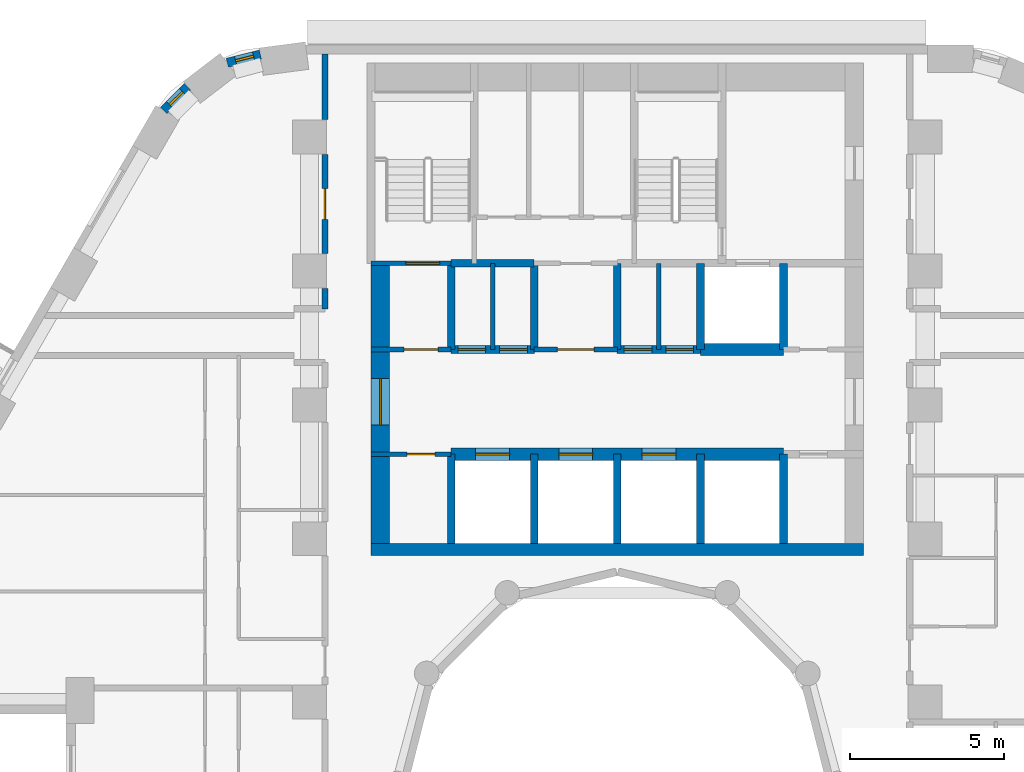
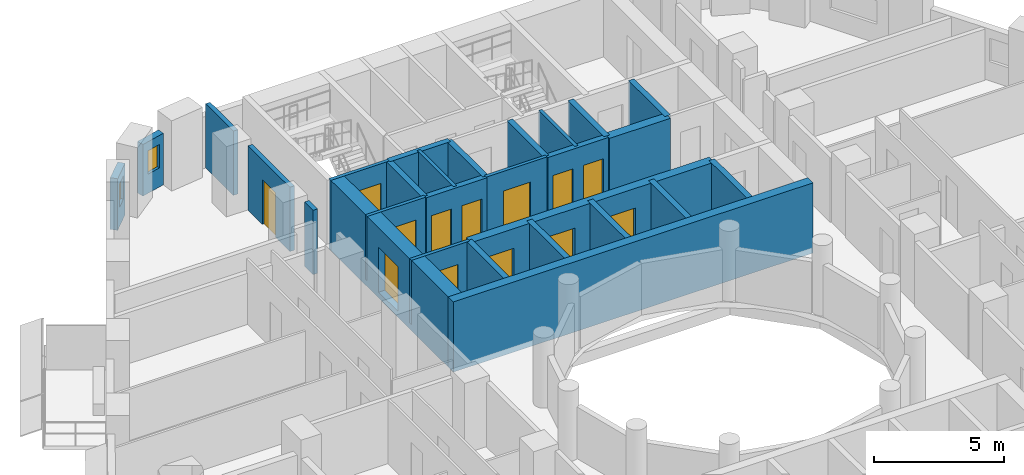
# One storey, part 7 of 13: 28 walls, 13 doors, 2 windows, 15 openings.
"""IFC4 building model written with IfcOpenShell, lengths in metres."""

from ifc_helpers import new_model, si_unit, direction, frame, frame_2d, origin, place, context, subcontext, project, spatial, rectangle, extrude, material, layer, layer_set, type_object, element, fill, save


model = new_model("IFC4")

# Units and contexts
model_context = context("Model", 3, precision=1e-05, world=origin(), true_north=direction((0.0, 1.0)))
body_context = subcontext(model_context, "Body", "Model", "MODEL_VIEW")
ifc_project = project(units=[si_unit("LENGTHUNIT", "METRE"), si_unit("AREAUNIT", "SQUARE_METRE"), si_unit("VOLUMEUNIT", "CUBIC_METRE"), si_unit("PLANEANGLEUNIT", "RADIAN"), si_unit("MASSUNIT", "GRAM", prefix="KILO")], contexts=[model_context])

# Site, building, storey
site_placement = place(None, origin())
site = spatial("IfcSite", under=ifc_project, at=site_placement, CompositionType="ELEMENT")
building_placement = place(site_placement, origin())
building = spatial("IfcBuilding", under=site, at=building_placement, Name="Nakaniwa Court", CompositionType="ELEMENT")
storey_placement = place(building_placement, frame((0.0, 0.0, 41.39990234375)))
storey = spatial("IfcBuildingStorey", under=building, at=storey_placement, Name="L10", CompositionType="ELEMENT", Elevation=41.39990234375)

# Wall
ifc_material_1 = material(Name="Acoustic double stud partition")
ifc_layer_1 = layer(ifc_material_1, 0.199951171875)
ifc_layer_set_1 = layer_set([ifc_layer_1], Name="Acoustic double stud partition")
wall_type_1 = type_object("IfcWallType", Name="Acoustic double stud partition 200", PredefinedType="PARTITIONING", material=ifc_layer_set_1)
wall_1_placement = place(storey_placement, frame((70.5, 95.422119140625, 0.0), z_axis=(0.0, 0.0, 1.0), x_axis=(0.0, 1.0, 0.0)))
element("IfcWall", 1, at=wall_1_placement, inside=storey, type_object=wall_type_1, Name="Partition PW-110", PredefinedType="PARTITIONING", context=body_context, shape_type="SweptSolid", body=[
    extrude(rectangle(XDim=0.660888671875, YDim=0.199951171875, at=frame_2d((0.33056640625, 0.0))), origin(), (0.0, 0.0, 1.0), 3.025146484375),
])

# Wall, opening, door
wall_2_placement = place(storey_placement, frame((70.5, 97.217041015625, 0.0), z_axis=(0.0, 0.0, 1.0), x_axis=(0.0, 1.0, 0.0)))
wall_2 = element("IfcWall", 2, at=wall_2_placement, inside=storey, type_object=wall_type_1, Name="Partition PW-111", PredefinedType="PARTITIONING", context=body_context, shape_type="SweptSolid", body=[
    extrude(rectangle(XDim=3.216064453125, YDim=0.199951171875, at=frame_2d((1.60791015625, 0.0))), origin(), (0.0, 0.0, 1.0), 3.025146484375),
])
opening_1_placement = place(wall_2_placement, frame((1.10791015625, 0.0, 0.0)))
opening_1 = element("IfcOpeningElement", 3, at=opening_1_placement, cuts=wall_2, Name="Opening D-02-04", PredefinedType="OPENING", context=body_context, shape_type="SweptSolid", body=[
    extrude(rectangle(XDim=1.0, YDim=2.10009765625, at=frame_2d((0.5, 1.050048828125))), frame((0.0, 0.10986328125, 0.0), z_axis=(0.0, -1.0, 0.0), x_axis=(1.0, 0.0, 0.0)), (0.0, 0.0, 1.0), 0.219970703125),
])
ifc_material_2 = material(Name="Solid core timber door set, black veneer", Category="wood")
door_type_1 = type_object("IfcDoorType", Name="Internal door 1000", OperationType="NOTDEFINED", PredefinedType="DOOR", material=ifc_material_2)
door_1_placement = place(opening_1_placement, origin())
door_1 = element("IfcDoor", 4, at=door_1_placement, inside=storey, type_object=door_type_1, Name="Door D-02-04 L10-056", OperationType="SINGLE_SWING_LEFT", OverallHeight=2.10009765625, OverallWidth=1.0, PredefinedType="DOOR", context=body_context, shape_type="SweptSolid", body=[
    extrude(rectangle(XDim=1.0, YDim=2.10009765625, at=frame_2d((0.5, 1.050048828125))), frame((0.0, 0.02490234375, 0.0), z_axis=(0.0, -1.0, 0.0), x_axis=(1.0, 0.0, 0.0)), (0.0, 0.0, 1.0), 0.050048828125),
])
fill(opening_1, door_1)

# Wall
wall_3_placement = place(storey_placement, frame((70.5, 101.56689453125, 0.0), z_axis=(0.0, 0.0, 1.0), x_axis=(0.0, 1.0, 0.0)))
element("IfcWall", 5, at=wall_3_placement, inside=storey, type_object=wall_type_1, Name="Partition PW-112", PredefinedType="PARTITIONING", context=body_context, shape_type="SweptSolid", body=[
    extrude(rectangle(XDim=2.133056640625, YDim=0.199951171875, at=frame_2d((1.06640625, 0.0))), origin(), (0.0, 0.0, 1.0), 3.025146484375),
])

# Wall, opening, window
ifc_material_3 = material(Name="Charcoal ceramic cladding")
ifc_layer_2 = layer(ifc_material_3, 0.02, Name="Ceramic cladding")
ifc_material_4 = material(Name="Ventilated air cavity")
ifc_layer_3 = layer(ifc_material_4, 0.04, ventilated=True, Name="Ventilated cavity")
ifc_material_5 = material(Name="Mineral wool insulation")
ifc_layer_4 = layer(ifc_material_5, 0.1, Name="Insulation")
ifc_material_6 = material(Name="Cement bonded sheathing board")
ifc_layer_5 = layer(ifc_material_6, 0.012, Name="Sheathing")
ifc_material_7 = material(Name="Cold-formed galvanised stud frame with mineral wool infill")
ifc_layer_6 = layer(ifc_material_7, 0.1, Name="Stud frame")
ifc_material_8 = material(Name="Fire-rated gypsum plasterboard lining")
ifc_layer_7 = layer(ifc_material_8, 0.028, Name="Lining")
ifc_layer_set_2 = layer_set([ifc_layer_2, ifc_layer_3, ifc_layer_4, ifc_layer_5, ifc_layer_6, ifc_layer_7], Name="Charcoal ceramic faced external wall system")
wall_type_2 = type_object("IfcWallType", Name="Black ceramic faced external wall 300", PredefinedType="SOLIDWALL", material=ifc_layer_set_2)
wall_4_placement = place(storey_placement, frame((68.4052734375, 103.68310546875, 0.0), z_axis=(0.0, 0.0, 1.0), x_axis=(-0.969766298956, -0.244035500304, 0.0)))
wall_4 = element("IfcWall", 6, at=wall_4_placement, inside=storey, type_object=wall_type_2, Name="L10 external wall 09", PredefinedType="SOLIDWALL", context=body_context, shape_type="SweptSolid", body=[
    extrude(rectangle(XDim=1.110595703125, YDim=0.300048828125, at=frame_2d((0.55517578125, 0.0))), origin(), (0.0, 0.0, 1.0), 2.425048828125),
])
opening_2_placement = place(wall_4_placement, frame((0.230712890625, 0.0, 0.89990234375)))
opening_2 = element("IfcOpeningElement", 7, at=opening_2_placement, cuts=wall_4, Name="Opening W8.10", PredefinedType="OPENING", context=body_context, shape_type="SweptSolid", body=[
    extrude(rectangle(XDim=0.60009765625, YDim=1.10009765625, at=frame_2d((0.300048828125, 0.550048828125))), frame((0.0, 0.159912109375, 0.0), z_axis=(0.0, -1.0, 0.0), x_axis=(1.0, 0.0, 0.0)), (0.0, 0.0, 1.0), 0.320068359375),
])
ifc_material_9 = material(Name="Black anodised aluminium frame with dark low-E laminated double glazing", Category="aluminium")
window_type = type_object("IfcWindowType", Name="Dark glass window 600x1100 sill 900", PartitioningType="SINGLE_PANEL", PredefinedType="WINDOW", material=ifc_material_9)
window_1_placement = place(opening_2_placement, origin())
window_1 = element("IfcWindow", 8, at=window_1_placement, inside=storey, type_object=window_type, Name="L10 habitable room window 09-0", OverallHeight=1.10009765625, OverallWidth=0.60009765625, PartitioningType="SINGLE_PANEL", PredefinedType="WINDOW", context=body_context, shape_type="SweptSolid", body=[
    extrude(rectangle(XDim=0.60009765625, YDim=1.10009765625, at=frame_2d((0.300048828125, 0.550048828125))), frame((0.0, 0.030029296875, 0.0), z_axis=(0.0, -1.0, 0.0), x_axis=(1.0, 0.0, 0.0)), (0.0, 0.0, 1.0), 0.06005859375),
])
fill(opening_2, window_1)

wall_5_placement = place(storey_placement, frame((66.04150390625, 102.637451171875, 0.0), z_axis=(0.0, 0.0, 1.0), x_axis=(-0.708892395813, -0.705316646024, 0.0)))
wall_5 = element("IfcWall", 9, at=wall_5_placement, inside=storey, type_object=wall_type_2, Name="L10 external wall 10", PredefinedType="SOLIDWALL", context=body_context, shape_type="SweptSolid", body=[
    extrude(rectangle(XDim=1.092529296875, YDim=0.300048828125, at=frame_2d((0.54638671875, 0.0))), origin(), (0.0, 0.0, 1.0), 2.425048828125),
])
opening_3_placement = place(wall_5_placement, frame((0.23583984375, 0.0, 0.89990234375)))
opening_3 = element("IfcOpeningElement", 10, at=opening_3_placement, cuts=wall_5, Name="Opening W8.11", PredefinedType="OPENING", context=body_context, shape_type="SweptSolid", body=[
    extrude(rectangle(XDim=0.60009765625, YDim=1.10009765625, at=frame_2d((0.300048828125, 0.550048828125))), frame((0.0, 0.159912109375, 0.0), z_axis=(0.0, -1.0, 0.0), x_axis=(1.0, 0.0, 0.0)), (0.0, 0.0, 1.0), 0.320068359375),
])
window_2_placement = place(opening_3_placement, origin())
window_2 = element("IfcWindow", 11, at=window_2_placement, inside=storey, type_object=window_type, Name="L10 habitable room window 10-0", OverallHeight=1.10009765625, OverallWidth=0.60009765625, PartitioningType="SINGLE_PANEL", PredefinedType="WINDOW", context=body_context, shape_type="SweptSolid", body=[
    extrude(rectangle(XDim=0.60009765625, YDim=1.10009765625, at=frame_2d((0.300048828125, 0.550048828125))), frame((0.0, 0.030029296875, 0.0), z_axis=(0.0, -1.0, 0.0), x_axis=(1.0, 0.0, 0.0)), (0.0, 0.0, 1.0), 0.06005859375),
])
fill(opening_3, window_2)

# Wall, opening, door
ifc_material_10 = material(Name="Blockwork partition", Category="masonry")
ifc_layer_8 = layer(ifc_material_10, 0.14990234375)
ifc_layer_set_3 = layer_set([ifc_layer_8], Name="Blockwork partition")
wall_type_3 = type_object("IfcWallType", Name="Blockwork partition 150", PredefinedType="PARTITIONING", material=ifc_layer_set_3)
wall_6_placement = place(storey_placement, frame((74.60009765625, 90.699951171875, 0.0), z_axis=(0.0, 0.0, 1.0), x_axis=(-1.0, 0.0, 0.0)))
wall_6 = element("IfcWall", 12, at=wall_6_placement, inside=storey, type_object=wall_type_3, Name="Partition PW-003", PredefinedType="PARTITIONING", context=body_context, shape_type="SweptSolid", body=[
    extrude(rectangle(XDim=2.60009765625, YDim=0.14990234375, at=frame_2d((1.300048828125, 0.0))), origin(), (0.0, 0.0, 1.0), 3.025146484375),
])
opening_4_placement = place(wall_6_placement, frame((0.52490234375, 0.0, 0.0)))
opening_4 = element("IfcOpeningElement", 13, at=opening_4_placement, cuts=wall_6, Name="Opening D-05-01", PredefinedType="OPENING", context=body_context, shape_type="SweptSolid", body=[
    extrude(rectangle(XDim=0.89990234375, YDim=2.10009765625, at=frame_2d((0.449951171875, 1.050048828125))), frame((0.0, 0.0849609375, 0.0), z_axis=(0.0, -1.0, 0.0), x_axis=(1.0, 0.0, 0.0)), (0.0, 0.0, 1.0), 0.169921875),
])
ifc_material_11 = material(Name="Fire rated steel door set", Category="steel")
door_type_2 = type_object("IfcDoorType", Name="Service room door 900", OperationType="NOTDEFINED", PredefinedType="DOOR", material=ifc_material_11)
door_2_placement = place(opening_4_placement, origin())
door_2 = element("IfcDoor", 14, at=door_2_placement, inside=storey, type_object=door_type_2, Name="Door D-05-01 L10-001", OperationType="SINGLE_SWING_RIGHT", OverallHeight=2.10009765625, OverallWidth=0.89990234375, PredefinedType="DOOR", context=body_context, shape_type="SweptSolid", body=[
    extrude(rectangle(XDim=0.89990234375, YDim=2.10009765625, at=frame_2d((0.449951171875, 1.050048828125))), frame((0.0, 0.02490234375, 0.0), z_axis=(0.0, -1.0, 0.0), x_axis=(1.0, 0.0, 0.0)), (0.0, 0.0, 1.0), 0.050048828125),
])
fill(opening_4, door_2)

wall_7_placement = place(storey_placement, frame((72.0, 94.10009765625, 0.0), z_axis=(0.0, 0.0, 1.0), x_axis=(1.0, 0.0, 0.0)))
wall_7 = element("IfcWall", 15, at=wall_7_placement, inside=storey, type_object=wall_type_3, Name="Partition PW-016", PredefinedType="PARTITIONING", context=body_context, shape_type="SweptSolid", body=[
    extrude(rectangle(XDim=2.60302734375, YDim=0.14990234375, at=frame_2d((1.301513671875, 0.0))), origin(), (0.0, 0.0, 1.0), 3.025146484375),
])
opening_5_placement = place(wall_7_placement, frame((1.074951171875, 0.0, 0.0)))
opening_5 = element("IfcOpeningElement", 16, at=opening_5_placement, cuts=wall_7, Name="Opening D-08-01", PredefinedType="OPENING", context=body_context, shape_type="SweptSolid", body=[
    extrude(rectangle(XDim=1.10009765625, YDim=2.10009765625, at=frame_2d((0.550048828125, 1.050048828125))), frame((0.0, 0.0849609375, 0.0), z_axis=(0.0, -1.0, 0.0), x_axis=(1.0, 0.0, 0.0)), (0.0, 0.0, 1.0), 0.169921875),
])
door_type_3 = type_object("IfcDoorType", Name="Stair lobby door 1100", OperationType="NOTDEFINED", PredefinedType="DOOR", material=ifc_material_11)
door_3_placement = place(opening_5_placement, origin())
door_3 = element("IfcDoor", 17, at=door_3_placement, inside=storey, type_object=door_type_3, Name="Door D-08-01 L10-003", OperationType="SINGLE_SWING_RIGHT", OverallHeight=2.10009765625, OverallWidth=1.10009765625, PredefinedType="DOOR", context=body_context, shape_type="SweptSolid", body=[
    extrude(rectangle(XDim=1.10009765625, YDim=2.10009765625, at=frame_2d((0.550048828125, 1.050048828125))), frame((0.0, 0.02490234375, 0.0), z_axis=(0.0, -1.0, 0.0), x_axis=(1.0, 0.0, 0.0)), (0.0, 0.0, 1.0), 0.050048828125),
])
fill(opening_5, door_3)

wall_8_placement = place(storey_placement, frame((77.297119140625, 94.10009765625, 0.0), z_axis=(0.0, 0.0, 1.0), x_axis=(1.0, 0.0, 0.0)))
wall_8 = element("IfcWall", 18, at=wall_8_placement, inside=storey, type_object=wall_type_3, Name="Partition PW-017", PredefinedType="PARTITIONING", context=body_context, shape_type="SweptSolid", body=[
    extrude(rectangle(XDim=2.705810546875, YDim=0.14990234375, at=frame_2d((1.35302734375, 0.0))), origin(), (0.0, 0.0, 1.0), 3.025146484375),
])
opening_6_placement = place(wall_8_placement, frame((0.7529296875, 0.0, 0.0)))
opening_6 = element("IfcOpeningElement", 19, at=opening_6_placement, cuts=wall_8, Name="Opening D-06-01", PredefinedType="OPENING", context=body_context, shape_type="SweptSolid", body=[
    extrude(rectangle(XDim=1.199951171875, YDim=2.10009765625, at=frame_2d((0.60009765625, 1.050048828125))), frame((0.0, 0.0849609375, 0.0), z_axis=(0.0, -1.0, 0.0), x_axis=(1.0, 0.0, 0.0)), (0.0, 0.0, 1.0), 0.169921875),
])
ifc_material_12 = material(Name="Fire rated steel double door set", Category="steel")
door_type_4 = type_object("IfcDoorType", Name="Service passage double door 1200", OperationType="NOTDEFINED", PredefinedType="DOOR", material=ifc_material_12)
door_4_placement = place(opening_6_placement, origin())
door_4 = element("IfcDoor", 20, at=door_4_placement, inside=storey, type_object=door_type_4, Name="Door D-06-01 L10-006", OperationType="DOUBLE_DOOR_SINGLE_SWING", OverallHeight=2.10009765625, OverallWidth=1.199951171875, PredefinedType="DOOR", context=body_context, shape_type="SweptSolid", body=[
    extrude(rectangle(XDim=1.199951171875, YDim=2.10009765625, at=frame_2d((0.60009765625, 1.050048828125))), frame((0.0, 0.02490234375, 0.0), z_axis=(0.0, -1.0, 0.0), x_axis=(1.0, 0.0, 0.0)), (0.0, 0.0, 1.0), 0.050048828125),
])
fill(opening_6, door_4)

# Walls
for number, where, z_axis, x_axis, name in (
    (21, (75.949951171875, 94.10009765625, 0.0), (0.0, 0.0, 1.0), (0.0, 1.0, 0.0), "Partition PW-023"),
    (22, (81.35009765625, 94.10009765625, 0.0), (0.0, 0.0, 1.0), (0.0, 1.0, 0.0), "Partition PW-027"),
):
    element("IfcWall", number, at=place(storey_placement, frame(where, z_axis=z_axis, x_axis=x_axis)), inside=storey, type_object=wall_type_3, Name=name, PredefinedType="PARTITIONING", context=body_context, shape_type="SweptSolid", body=[
        extrude(rectangle(XDim=2.7998046875, YDim=0.14990234375, at=frame_2d((1.39990234375, 0.0))), origin(), (0.0, 0.0, 1.0), 3.025146484375),
    ])

# Wall, opening, door
ifc_material_13 = material(Name="Concrete C100/115", Category="concrete")
ifc_layer_9 = layer(ifc_material_13, 0.60009765625)
ifc_layer_set_4 = layer_set([ifc_layer_9], Name="Concrete C100/115")
wall_type_4 = type_object("IfcWallType", Name="Concrete core side wall 600 C100", PredefinedType="SHEAR", material=ifc_layer_set_4)
wall_9_placement = place(storey_placement, frame((72.300048828125, 87.800048828125, -0.27490234375), z_axis=(0.0, 0.0, 1.0), x_axis=(0.0, 1.0, 0.0)))
wall_9 = element("IfcWall", 23, at=wall_9_placement, inside=storey, type_object=wall_type_4, Name="Core wall SW-04", PredefinedType="SHEAR", context=body_context, shape_type="SweptSolid", body=[
    extrude(rectangle(XDim=9.099853515625, YDim=0.60009765625, at=frame_2d((4.5498046875, 0.0))), origin(), (0.0, 0.0, 1.0), 3.300048828125),
])
opening_7_placement = place(wall_9_placement, frame((3.85009765625, 0.0, 0.27490234375)))
opening_7 = element("IfcOpeningElement", 24, at=opening_7_placement, cuts=wall_9, Name="Opening D-07-02", PredefinedType="OPENING", context=body_context, shape_type="SweptSolid", body=[
    extrude(rectangle(XDim=1.5, YDim=2.10009765625, at=frame_2d((0.75, 1.050048828125))), frame((0.0, 0.31005859375, 0.0), z_axis=(0.0, -1.0, 0.0), x_axis=(1.0, 0.0, 0.0)), (0.0, 0.0, 1.0), 0.6201171875),
])
ifc_material_14 = material(Name="Glazed fire rated steel double door set", Category="steel")
door_type_5 = type_object("IfcDoorType", Name="Lobby double door 1500", OperationType="NOTDEFINED", PredefinedType="DOOR", material=ifc_material_14)
door_5_placement = place(opening_7_placement, origin())
door_5 = element("IfcDoor", 25, at=door_5_placement, inside=storey, type_object=door_type_5, Name="Door D-07-02 L10-061", OperationType="DOUBLE_DOOR_SINGLE_SWING", OverallHeight=2.10009765625, OverallWidth=1.5, PredefinedType="DOOR", context=body_context, shape_type="SweptSolid", body=[
    extrude(rectangle(XDim=1.5, YDim=2.10009765625, at=frame_2d((0.75, 1.050048828125))), frame((0.0, 0.02490234375, 0.0), z_axis=(0.0, -1.0, 0.0), x_axis=(1.0, 0.0, 0.0)), (0.0, 0.0, 1.0), 0.050048828125),
])
fill(opening_7, door_5)

# Wall, openings, doors
ifc_layer_10 = layer(ifc_material_13, 0.39990234375)
ifc_layer_set_5 = layer_set([ifc_layer_10], Name="Concrete C100/115")
wall_type_5 = type_object("IfcWallType", Name="Concrete core spine wall 400 C100", PredefinedType="SHEAR", material=ifc_layer_set_5)
wall_10_placement = place(storey_placement, frame((74.60009765625, 90.699951171875, -0.27490234375), z_axis=(0.0, 0.0, 1.0), x_axis=(1.0, 0.0, 0.0)))
wall_10 = element("IfcWall", 26, at=wall_10_placement, inside=storey, type_object=wall_type_5, Name="Core wall SW-07", PredefinedType="SHEAR", context=body_context, shape_type="SweptSolid", body=[
    extrude(rectangle(XDim=10.7998046875, YDim=0.39990234375, at=frame_2d((5.39990234375, 0.0))), origin(), (0.0, 0.0, 1.0), 3.300048828125),
])
opening_8_placement = place(wall_10_placement, frame((0.800048828125, 0.0, 0.27490234375)))
opening_8 = element("IfcOpeningElement", 27, at=opening_8_placement, cuts=wall_10, Name="Opening LD01", PredefinedType="OPENING", context=body_context, shape_type="SweptSolid", body=[
    extrude(rectangle(XDim=1.10009765625, YDim=2.10009765625, at=frame_2d((0.550048828125, 1.050048828125))), frame((0.0, 0.2099609375, 0.0), z_axis=(0.0, -1.0, 0.0), x_axis=(1.0, 0.0, 0.0)), (0.0, 0.0, 1.0), 0.419921875),
])
opening_9_placement = place(wall_10_placement, frame((3.5, 0.0, 0.27490234375)))
opening_9 = element("IfcOpeningElement", 28, at=opening_9_placement, cuts=wall_10, Name="Opening LD02", PredefinedType="OPENING", context=body_context, shape_type="SweptSolid", body=[
    extrude(rectangle(XDim=1.10009765625, YDim=2.10009765625, at=frame_2d((0.550048828125, 1.050048828125))), frame((0.0, 0.2099609375, 0.0), z_axis=(0.0, -1.0, 0.0), x_axis=(1.0, 0.0, 0.0)), (0.0, 0.0, 1.0), 0.419921875),
])
opening_10_placement = place(wall_10_placement, frame((6.199951171875, 0.0, 0.27490234375)))
opening_10 = element("IfcOpeningElement", 29, at=opening_10_placement, cuts=wall_10, Name="Opening LD03", PredefinedType="OPENING", context=body_context, shape_type="SweptSolid", body=[
    extrude(rectangle(XDim=1.10009765625, YDim=2.10009765625, at=frame_2d((0.550048828125, 1.050048828125))), frame((0.0, 0.2099609375, 0.0), z_axis=(0.0, -1.0, 0.0), x_axis=(1.0, 0.0, 0.0)), (0.0, 0.0, 1.0), 0.419921875),
])
ifc_material_15 = material(Name="Stainless steel sliding lift landing door", Category="steel")
door_type_6 = type_object("IfcDoorType", Name="Lift landing door 1100", OperationType="NOTDEFINED", PredefinedType="DOOR", material=ifc_material_15)
door_6_placement = place(opening_8_placement, origin())
door_6 = element("IfcDoor", 30, at=door_6_placement, inside=storey, type_object=door_type_6, Name="Lift landing door LD01 L10-001", OperationType="SLIDING_TO_LEFT", OverallHeight=2.10009765625, OverallWidth=1.10009765625, PredefinedType="DOOR", context=body_context, shape_type="SweptSolid", body=[
    extrude(rectangle(XDim=1.10009765625, YDim=2.10009765625, at=frame_2d((0.550048828125, 1.050048828125))), frame((0.0, 0.02490234375, 0.0), z_axis=(0.0, -1.0, 0.0), x_axis=(1.0, 0.0, 0.0)), (0.0, 0.0, 1.0), 0.050048828125),
])
fill(opening_8, door_6)
door_7_placement = place(opening_9_placement, origin())
door_7 = element("IfcDoor", 31, at=door_7_placement, inside=storey, type_object=door_type_6, Name="Lift landing door LD02 L10-002", OperationType="SLIDING_TO_LEFT", OverallHeight=2.10009765625, OverallWidth=1.10009765625, PredefinedType="DOOR", context=body_context, shape_type="SweptSolid", body=[
    extrude(rectangle(XDim=1.10009765625, YDim=2.10009765625, at=frame_2d((0.550048828125, 1.050048828125))), frame((0.0, 0.02490234375, 0.0), z_axis=(0.0, -1.0, 0.0), x_axis=(1.0, 0.0, 0.0)), (0.0, 0.0, 1.0), 0.050048828125),
])
fill(opening_9, door_7)
door_8_placement = place(opening_10_placement, origin())
door_8 = element("IfcDoor", 32, at=door_8_placement, inside=storey, type_object=door_type_6, Name="Lift landing door LD03 L10-003", OperationType="SLIDING_TO_LEFT", OverallHeight=2.10009765625, OverallWidth=1.10009765625, PredefinedType="DOOR", context=body_context, shape_type="SweptSolid", body=[
    extrude(rectangle(XDim=1.10009765625, YDim=2.10009765625, at=frame_2d((0.550048828125, 1.050048828125))), frame((0.0, 0.02490234375, 0.0), z_axis=(0.0, -1.0, 0.0), x_axis=(1.0, 0.0, 0.0)), (0.0, 0.0, 1.0), 0.050048828125),
])
fill(opening_10, door_8)

# Wall
wall_11_placement = place(storey_placement, frame((82.697021484375, 94.10009765625, -0.27490234375), z_axis=(0.0, 0.0, 1.0), x_axis=(1.0, 0.0, 0.0)))
element("IfcWall", 33, at=wall_11_placement, inside=storey, type_object=wall_type_5, Name="Core wall SW-21", PredefinedType="SHEAR", context=body_context, shape_type="SweptSolid", body=[
    extrude(rectangle(XDim=2.7060546875, YDim=0.39990234375, at=frame_2d((1.35302734375, 0.0))), origin(), (0.0, 0.0, 1.0), 3.300048828125),
])

# Wall, opening, door
ifc_layer_11 = layer(ifc_material_13, 0.14990234375)
ifc_layer_set_6 = layer_set([ifc_layer_11], Name="Concrete C100/115")
wall_type_6 = type_object("IfcWallType", Name="Concrete core wall 150 C100", PredefinedType="SHEAR", material=ifc_layer_set_6)
wall_12_placement = place(storey_placement, frame((74.60009765625, 96.89990234375, -0.27490234375), z_axis=(0.0, 0.0, 1.0), x_axis=(-1.0, 0.0, 0.0)))
wall_12 = element("IfcWall", 34, at=wall_12_placement, inside=storey, type_object=wall_type_6, Name="Core wall SW-22", PredefinedType="SHEAR", context=body_context, shape_type="SweptSolid", body=[
    extrude(rectangle(XDim=2.60009765625, YDim=0.14990234375, at=frame_2d((1.300048828125, 0.0))), origin(), (0.0, 0.0, 1.0), 3.300048828125),
])
opening_11_placement = place(wall_12_placement, frame((0.3701171875, 0.0, 0.27490234375)))
opening_11 = element("IfcOpeningElement", 35, at=opening_11_placement, cuts=wall_12, Name="Opening D-09-01", PredefinedType="OPENING", context=body_context, shape_type="SweptSolid", body=[
    extrude(rectangle(XDim=1.10009765625, YDim=2.10009765625, at=frame_2d((0.550048828125, 1.050048828125))), frame((0.0, 0.0849609375, 0.0), z_axis=(0.0, -1.0, 0.0), x_axis=(1.0, 0.0, 0.0)), (0.0, 0.0, 1.0), 0.169921875),
])
door_type_7 = type_object("IfcDoorType", Name="Stair door 1100", OperationType="NOTDEFINED", PredefinedType="DOOR", material=ifc_material_11)
door_9_placement = place(opening_11_placement, origin())
door_9 = element("IfcDoor", 36, at=door_9_placement, inside=storey, type_object=door_type_7, Name="Door D-09-01 L10-014", OperationType="SINGLE_SWING_RIGHT", OverallHeight=2.10009765625, OverallWidth=1.10009765625, PredefinedType="DOOR", context=body_context, shape_type="SweptSolid", body=[
    extrude(rectangle(XDim=1.10009765625, YDim=2.10009765625, at=frame_2d((0.550048828125, 1.050048828125))), frame((0.0, 0.02490234375, 0.0), z_axis=(0.0, -1.0, 0.0), x_axis=(1.0, 0.0, 0.0)), (0.0, 0.0, 1.0), 0.050048828125),
])
fill(opening_11, door_9)

# Walls
ifc_layer_12 = layer(ifc_material_13, 0.39990234375)
ifc_layer_set_7 = layer_set([ifc_layer_12], Name="Concrete C100/115")
wall_type_7 = type_object("IfcWallType", Name="Concrete core well wall 400 C100", PredefinedType="SHEAR", material=ifc_layer_set_7)
wall_13_placement = place(storey_placement, frame((72.00390625, 87.60009765625, -0.27490234375), z_axis=(0.0, 0.0, 1.0), x_axis=(1.0, 0.0, 0.0)))
element("IfcWall", 37, at=wall_13_placement, inside=storey, type_object=wall_type_7, Name="Core wall SW-138", PredefinedType="SHEAR", context=body_context, shape_type="SweptSolid", body=[
    extrude(rectangle(XDim=15.9921875, YDim=0.39990234375, at=frame_2d((7.99609375, 0.0))), origin(), (0.0, 0.0, 1.0), 3.300048828125),
])
ifc_layer_13 = layer(ifc_material_13, 0.25)
ifc_layer_set_8 = layer_set([ifc_layer_13], Name="Concrete C100/115")
wall_type_8 = type_object("IfcWallType", Name="Concrete shaft wall 250 C100", PredefinedType="SHEAR", material=ifc_layer_set_8)
wall_14_placement = place(storey_placement, frame((74.60009765625, 87.800048828125, -0.27490234375), z_axis=(0.0, 0.0, 1.0), x_axis=(0.0, 1.0, 0.0)))
element("IfcWall", 38, at=wall_14_placement, inside=storey, type_object=wall_type_8, Name="Core wall SW-01", PredefinedType="SHEAR", context=body_context, shape_type="SweptSolid", body=[
    extrude(rectangle(XDim=2.89990234375, YDim=0.25, at=frame_2d((1.449951171875, 0.0))), origin(), (0.0, 0.0, 1.0), 3.300048828125),
])
wall_15_placement = place(storey_placement, frame((74.60009765625, 94.10009765625, -0.27490234375), z_axis=(0.0, 0.0, 1.0), x_axis=(0.0, 1.0, 0.0)))
element("IfcWall", 39, at=wall_15_placement, inside=storey, type_object=wall_type_8, Name="Core wall SW-02", PredefinedType="SHEAR", context=body_context, shape_type="SweptSolid", body=[
    extrude(rectangle(XDim=2.7998046875, YDim=0.25, at=frame_2d((1.39990234375, 0.0))), origin(), (0.0, 0.0, 1.0), 3.300048828125),
])
wall_16_placement = place(storey_placement, frame((77.300048828125, 87.800048828125, -0.27490234375), z_axis=(0.0, 0.0, 1.0), x_axis=(0.0, 1.0, 0.0)))
element("IfcWall", 40, at=wall_16_placement, inside=storey, type_object=wall_type_8, Name="Core wall SW-05", PredefinedType="SHEAR", context=body_context, shape_type="SweptSolid", body=[
    extrude(rectangle(XDim=2.89990234375, YDim=0.25, at=frame_2d((1.449951171875, 0.0))), origin(), (0.0, 0.0, 1.0), 3.300048828125),
])
wall_17_placement = place(storey_placement, frame((77.300048828125, 94.10009765625, -0.27490234375), z_axis=(0.0, 0.0, 1.0), x_axis=(0.0, 1.0, 0.0)))
element("IfcWall", 41, at=wall_17_placement, inside=storey, type_object=wall_type_8, Name="Core wall SW-06", PredefinedType="SHEAR", context=body_context, shape_type="SweptSolid", body=[
    extrude(rectangle(XDim=2.7998046875, YDim=0.25, at=frame_2d((1.39990234375, 0.0))), origin(), (0.0, 0.0, 1.0), 3.300048828125),
])
wall_18_placement = place(storey_placement, frame((80.0, 87.800048828125, -0.27490234375), z_axis=(0.0, 0.0, 1.0), x_axis=(0.0, 1.0, 0.0)))
element("IfcWall", 42, at=wall_18_placement, inside=storey, type_object=wall_type_8, Name="Core wall SW-08", PredefinedType="SHEAR", context=body_context, shape_type="SweptSolid", body=[
    extrude(rectangle(XDim=2.89990234375, YDim=0.25, at=frame_2d((1.449951171875, 0.0))), origin(), (0.0, 0.0, 1.0), 3.300048828125),
])
wall_19_placement = place(storey_placement, frame((80.0, 94.10009765625, -0.27490234375), z_axis=(0.0, 0.0, 1.0), x_axis=(0.0, 1.0, 0.0)))
element("IfcWall", 43, at=wall_19_placement, inside=storey, type_object=wall_type_8, Name="Core wall SW-09", PredefinedType="SHEAR", context=body_context, shape_type="SweptSolid", body=[
    extrude(rectangle(XDim=2.7998046875, YDim=0.25, at=frame_2d((1.39990234375, 0.0))), origin(), (0.0, 0.0, 1.0), 3.300048828125),
])
wall_20_placement = place(storey_placement, frame((82.699951171875, 87.800048828125, -0.27490234375), z_axis=(0.0, 0.0, 1.0), x_axis=(0.0, 1.0, 0.0)))
element("IfcWall", 44, at=wall_20_placement, inside=storey, type_object=wall_type_8, Name="Core wall SW-10", PredefinedType="SHEAR", context=body_context, shape_type="SweptSolid", body=[
    extrude(rectangle(XDim=2.89990234375, YDim=0.25, at=frame_2d((1.449951171875, 0.0))), origin(), (0.0, 0.0, 1.0), 3.300048828125),
])
wall_21_placement = place(storey_placement, frame((82.699951171875, 94.10009765625, -0.27490234375), z_axis=(0.0, 0.0, 1.0), x_axis=(0.0, 1.0, 0.0)))
element("IfcWall", 45, at=wall_21_placement, inside=storey, type_object=wall_type_8, Name="Core wall SW-11", PredefinedType="SHEAR", context=body_context, shape_type="SweptSolid", body=[
    extrude(rectangle(XDim=2.7998046875, YDim=0.25, at=frame_2d((1.39990234375, 0.0))), origin(), (0.0, 0.0, 1.0), 3.300048828125),
])
wall_22_placement = place(storey_placement, frame((85.39990234375, 87.800048828125, -0.27490234375), z_axis=(0.0, 0.0, 1.0), x_axis=(0.0, 1.0, 0.0)))
element("IfcWall", 46, at=wall_22_placement, inside=storey, type_object=wall_type_8, Name="Core wall SW-12", PredefinedType="SHEAR", context=body_context, shape_type="SweptSolid", body=[
    extrude(rectangle(XDim=2.89990234375, YDim=0.25, at=frame_2d((1.449951171875, 0.0))), origin(), (0.0, 0.0, 1.0), 3.300048828125),
])
wall_23_placement = place(storey_placement, frame((85.39990234375, 94.10009765625, -0.27490234375), z_axis=(0.0, 0.0, 1.0), x_axis=(0.0, 1.0, 0.0)))
element("IfcWall", 47, at=wall_23_placement, inside=storey, type_object=wall_type_8, Name="Core wall SW-13", PredefinedType="SHEAR", context=body_context, shape_type="SweptSolid", body=[
    extrude(rectangle(XDim=2.7998046875, YDim=0.25, at=frame_2d((1.39990234375, 0.0))), origin(), (0.0, 0.0, 1.0), 3.300048828125),
])

# Wall, openings, doors
wall_24_placement = place(storey_placement, frame((74.596923828125, 94.10009765625, -0.27490234375), z_axis=(0.0, 0.0, 1.0), x_axis=(1.0, 0.0, 0.0)))
wall_24 = element("IfcWall", 48, at=wall_24_placement, inside=storey, type_object=wall_type_8, Name="Core wall SW-19", PredefinedType="SHEAR", context=body_context, shape_type="SweptSolid", body=[
    extrude(rectangle(XDim=2.7060546875, YDim=0.25, at=frame_2d((1.35302734375, 0.0))), origin(), (0.0, 0.0, 1.0), 3.300048828125),
])
opening_12_placement = place(wall_24_placement, frame((0.22802734375, 0.0, 0.27490234375)))
opening_12 = element("IfcOpeningElement", 49, at=opening_12_placement, cuts=wall_24, Name="Opening D-05-03", PredefinedType="OPENING", context=body_context, shape_type="SweptSolid", body=[
    extrude(rectangle(XDim=0.89990234375, YDim=2.10009765625, at=frame_2d((0.449951171875, 1.050048828125))), frame((0.0, 0.135009765625, 0.0), z_axis=(0.0, -1.0, 0.0), x_axis=(1.0, 0.0, 0.0)), (0.0, 0.0, 1.0), 0.27001953125),
])
opening_13_placement = place(wall_24_placement, frame((1.577880859375, 0.0, 0.27490234375)))
opening_13 = element("IfcOpeningElement", 50, at=opening_13_placement, cuts=wall_24, Name="Opening D-05-04", PredefinedType="OPENING", context=body_context, shape_type="SweptSolid", body=[
    extrude(rectangle(XDim=0.89990234375, YDim=2.10009765625, at=frame_2d((0.449951171875, 1.050048828125))), frame((0.0, 0.135009765625, 0.0), z_axis=(0.0, -1.0, 0.0), x_axis=(1.0, 0.0, 0.0)), (0.0, 0.0, 1.0), 0.27001953125),
])
door_10_placement = place(opening_12_placement, origin())
door_10 = element("IfcDoor", 51, at=door_10_placement, inside=storey, type_object=door_type_2, Name="Door D-05-03 L10-004", OperationType="SINGLE_SWING_LEFT", OverallHeight=2.10009765625, OverallWidth=0.89990234375, PredefinedType="DOOR", context=body_context, shape_type="SweptSolid", body=[
    extrude(rectangle(XDim=0.89990234375, YDim=2.10009765625, at=frame_2d((0.449951171875, 1.050048828125))), frame((0.0, 0.02490234375, 0.0), z_axis=(0.0, -1.0, 0.0), x_axis=(1.0, 0.0, 0.0)), (0.0, 0.0, 1.0), 0.050048828125),
])
fill(opening_12, door_10)
door_11_placement = place(opening_13_placement, origin())
door_11 = element("IfcDoor", 52, at=door_11_placement, inside=storey, type_object=door_type_2, Name="Door D-05-04 L10-005", OperationType="SINGLE_SWING_RIGHT", OverallHeight=2.10009765625, OverallWidth=0.89990234375, PredefinedType="DOOR", context=body_context, shape_type="SweptSolid", body=[
    extrude(rectangle(XDim=0.89990234375, YDim=2.10009765625, at=frame_2d((0.449951171875, 1.050048828125))), frame((0.0, 0.02490234375, 0.0), z_axis=(0.0, -1.0, 0.0), x_axis=(1.0, 0.0, 0.0)), (0.0, 0.0, 1.0), 0.050048828125),
])
fill(opening_13, door_11)

wall_25_placement = place(storey_placement, frame((79.9970703125, 94.10009765625, -0.27490234375), z_axis=(0.0, 0.0, 1.0), x_axis=(1.0, 0.0, 0.0)))
wall_25 = element("IfcWall", 53, at=wall_25_placement, inside=storey, type_object=wall_type_8, Name="Core wall SW-20", PredefinedType="SHEAR", context=body_context, shape_type="SweptSolid", body=[
    extrude(rectangle(XDim=2.705810546875, YDim=0.25, at=frame_2d((1.35302734375, 0.0))), origin(), (0.0, 0.0, 1.0), 3.300048828125),
])
opening_14_placement = place(wall_25_placement, frame((0.22802734375, 0.0, 0.27490234375)))
opening_14 = element("IfcOpeningElement", 54, at=opening_14_placement, cuts=wall_25, Name="Opening D-05-05", PredefinedType="OPENING", context=body_context, shape_type="SweptSolid", body=[
    extrude(rectangle(XDim=0.89990234375, YDim=2.10009765625, at=frame_2d((0.449951171875, 1.050048828125))), frame((0.0, 0.135009765625, 0.0), z_axis=(0.0, -1.0, 0.0), x_axis=(1.0, 0.0, 0.0)), (0.0, 0.0, 1.0), 0.27001953125),
])
opening_15_placement = place(wall_25_placement, frame((1.577880859375, 0.0, 0.27490234375)))
opening_15 = element("IfcOpeningElement", 55, at=opening_15_placement, cuts=wall_25, Name="Opening D-05-06", PredefinedType="OPENING", context=body_context, shape_type="SweptSolid", body=[
    extrude(rectangle(XDim=0.89990234375, YDim=2.10009765625, at=frame_2d((0.449951171875, 1.050048828125))), frame((0.0, 0.135009765625, 0.0), z_axis=(0.0, -1.0, 0.0), x_axis=(1.0, 0.0, 0.0)), (0.0, 0.0, 1.0), 0.27001953125),
])
door_12_placement = place(opening_14_placement, origin())
door_12 = element("IfcDoor", 56, at=door_12_placement, inside=storey, type_object=door_type_2, Name="Door D-05-05 L10-007", OperationType="SINGLE_SWING_RIGHT", OverallHeight=2.10009765625, OverallWidth=0.89990234375, PredefinedType="DOOR", context=body_context, shape_type="SweptSolid", body=[
    extrude(rectangle(XDim=0.89990234375, YDim=2.10009765625, at=frame_2d((0.449951171875, 1.050048828125))), frame((0.0, 0.02490234375, 0.0), z_axis=(0.0, -1.0, 0.0), x_axis=(1.0, 0.0, 0.0)), (0.0, 0.0, 1.0), 0.050048828125),
])
fill(opening_14, door_12)
door_13_placement = place(opening_15_placement, origin())
door_13 = element("IfcDoor", 57, at=door_13_placement, inside=storey, type_object=door_type_2, Name="Door D-05-06 L10-008", OperationType="SINGLE_SWING_LEFT", OverallHeight=2.10009765625, OverallWidth=0.89990234375, PredefinedType="DOOR", context=body_context, shape_type="SweptSolid", body=[
    extrude(rectangle(XDim=0.89990234375, YDim=2.10009765625, at=frame_2d((0.449951171875, 1.050048828125))), frame((0.0, 0.02490234375, 0.0), z_axis=(0.0, -1.0, 0.0), x_axis=(1.0, 0.0, 0.0)), (0.0, 0.0, 1.0), 0.050048828125),
])
fill(opening_15, door_13)

# Wall
wall_26_placement = place(storey_placement, frame((74.60009765625, 96.89990234375, -0.27490234375), z_axis=(0.0, 0.0, 1.0), x_axis=(1.0, 0.0, 0.0)))
element("IfcWall", 58, at=wall_26_placement, inside=storey, type_object=wall_type_8, Name="Core wall SW-24", PredefinedType="SHEAR", context=body_context, shape_type="SweptSolid", body=[
    extrude(rectangle(XDim=2.699951171875, YDim=0.25, at=frame_2d((1.35009765625, 0.0))), origin(), (0.0, 0.0, 1.0), 3.300048828125),
])

save(model, "model.ifc")
